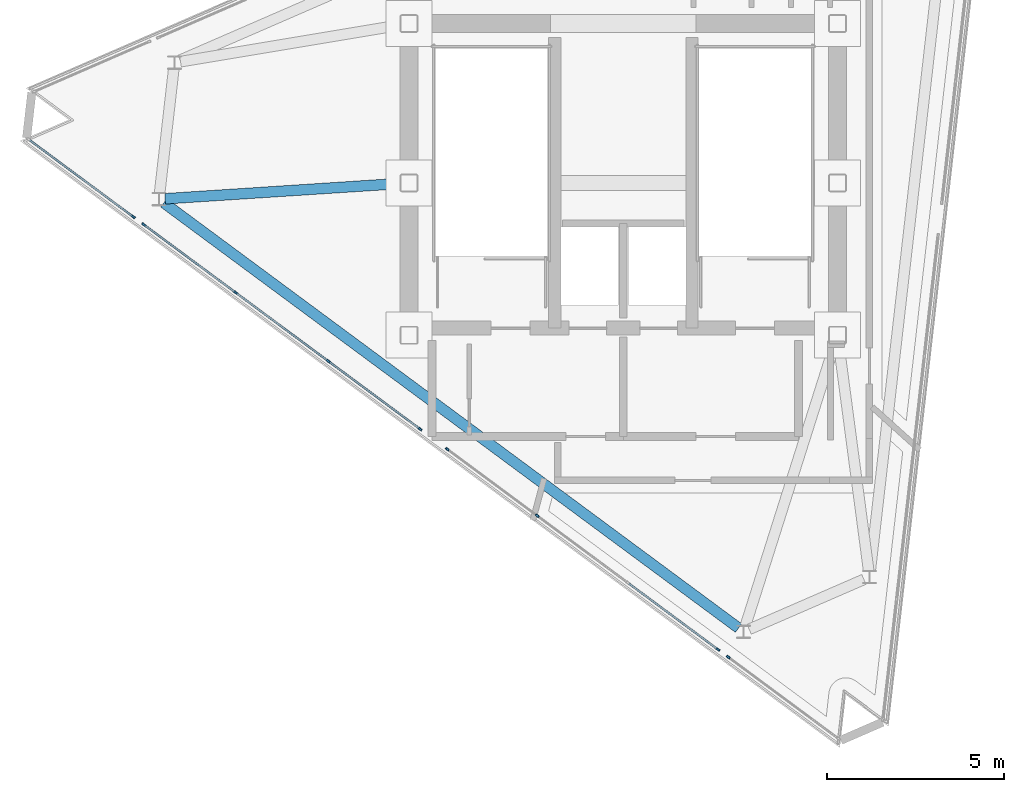
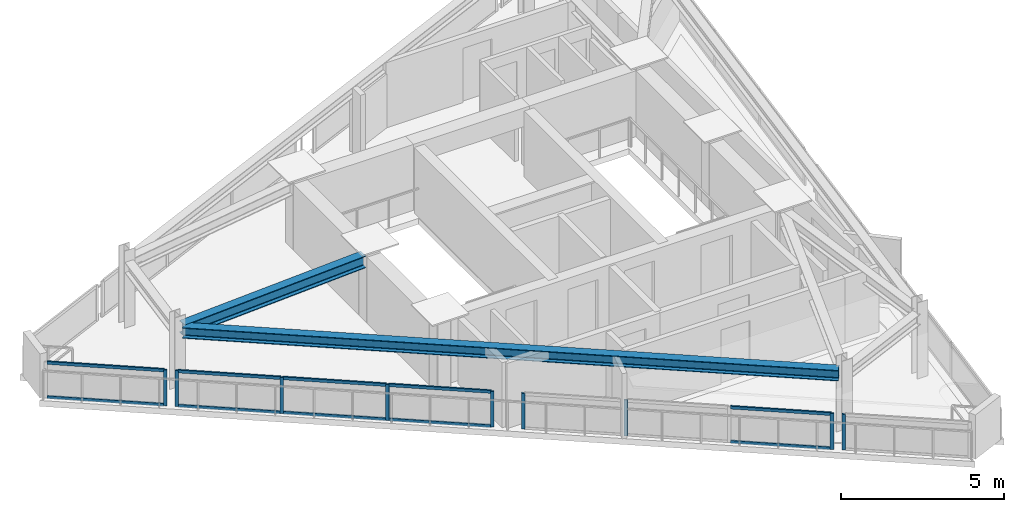
# One storey, part 2 of 9: 19 members, 2 beams, 4 elements without a shape of their own.
"""IFC4 building model written with IfcOpenShell, lengths in metres."""

from ifc_helpers import new_model, si_unit, direction, frame, origin, origin_2d, place, context, subcontext, project, spatial, rectangle, i_section, extrude, material, layer, layer_set, material_profile, profile_set, type_object, element, aggregate, save


model = new_model("IFC4")

# Units and contexts
model_context = context("Model", 3, precision=1e-05, world=origin(), true_north=direction((0.0, 1.0)))
body_context = subcontext(model_context, "Body", "Model", "MODEL_VIEW")
ifc_project = project(units=[si_unit("LENGTHUNIT", "METRE"), si_unit("AREAUNIT", "SQUARE_METRE"), si_unit("VOLUMEUNIT", "CUBIC_METRE"), si_unit("PLANEANGLEUNIT", "RADIAN"), si_unit("MASSUNIT", "GRAM", prefix="KILO")], contexts=[model_context])

# Site, building, storey
site_placement = place(None, origin())
site = spatial("IfcSite", under=ifc_project, at=site_placement, CompositionType="ELEMENT")
building_placement = place(site_placement, origin())
building = spatial("IfcBuilding", under=site, at=building_placement, Name="Rocaltana Carrier Exchange", CompositionType="ELEMENT")
storey_placement = place(building_placement, frame((0.0, 0.0, 254.8798828125)))
storey = spatial("IfcBuildingStorey", under=building, at=storey_placement, Name="L81", CompositionType="ELEMENT", Elevation=254.8798828125)

# Curtain wall, member
ifc_material_1 = material(Name="Aluminium 6063-T6", Category="aluminium")
ifc_layer = layer(ifc_material_1, 0.110107421875)
ifc_layer_set = layer_set([ifc_layer], Name="Aluminium 6063-T6")
curtain_wall_type = type_object("IfcCurtainWallType", Name="Crown Lantern Faceted Curtain Wall CW-06", PredefinedType="NOTDEFINED", material=ifc_layer_set)
curtain_wall_1_placement = place(storey_placement, origin())
curtain_wall_1 = element("IfcCurtainWall", 1, at=curtain_wall_1_placement, inside=storey, type_object=curtain_wall_type, Name="L81 CW-06 Run CW06-L81-F3S1-S1", PredefinedType="NOTDEFINED")
ifc_material_2 = material(Name="Aluminium 6063-T6", Category="aluminium")
ifc_material_profile_1 = material_profile(ifc_material_2, rectangle(XDim=0.054931640625, YDim=0.110107421875, at=origin_2d()), Name="AL-55X110")
ifc_profile_set_1 = profile_set([ifc_material_profile_1], Name="Aluminium 6063-T6")
member_type_1 = type_object("IfcMemberType", Name="CW-06 Mullion AL-55X110", PredefinedType="MULLION", material=ifc_profile_set_1)
member_1_placement = place(storey_placement, frame((-13.83447265625, -0.958740234375, 0.0), z_axis=(0.0, 0.0, 1.0), x_axis=(0.594814224142, 0.803863196545, 0.0)))
member_1 = element("IfcMember", 2, at=member_1_placement, type_object=member_type_1, Name="CW-06 mullion 2", PredefinedType="MULLION", context=body_context, shape_type="SweptSolid", body=[
    extrude(rectangle(XDim=0.054931640625, YDim=0.110107421875, at=origin_2d()), origin(), (0.0, 0.0, 1.0), 1.338134765625),
])

# Curtain wall, members
curtain_wall_2_placement = place(storey_placement, origin())
curtain_wall_2 = element("IfcCurtainWall", 3, at=curtain_wall_2_placement, inside=storey, type_object=curtain_wall_type, Name="L81 CW-06 Run CW06-L81-F3S1-S2", PredefinedType="NOTDEFINED")
member_2_placement = place(storey_placement, frame((-13.543212890625, -1.174560546875, 0.0), z_axis=(0.0, 0.0, 1.0), x_axis=(0.594818258379, 0.803860211416, 0.0)))
member_2 = element("IfcMember", 4, at=member_2_placement, type_object=member_type_1, Name="CW-06 mullion 1", PredefinedType="MULLION", context=body_context, shape_type="SweptSolid", body=[
    extrude(rectangle(XDim=0.054931640625, YDim=0.110107421875, at=origin_2d()), origin(), (0.0, 0.0, 1.0), 1.338134765625),
])
member_3_placement = place(storey_placement, frame((-10.948486328125, -3.094482421875, 0.0), z_axis=(0.0, 0.0, 1.0), x_axis=(0.594818258379, 0.803860211416, 0.0)))
member_3 = element("IfcMember", 5, at=member_3_placement, type_object=member_type_1, Name="CW-06 mullion 2", PredefinedType="MULLION", context=body_context, shape_type="SweptSolid", body=[
    extrude(rectangle(XDim=0.054931640625, YDim=0.110107421875, at=origin_2d()), origin(), (0.0, 0.0, 1.0), 1.338134765625),
])
member_4_placement = place(storey_placement, frame((-8.331787109375, -5.03076171875, 0.0), z_axis=(0.0, 0.0, 1.0), x_axis=(0.594818258379, 0.803860211416, 0.0)))
member_4 = element("IfcMember", 6, at=member_4_placement, type_object=member_type_1, Name="CW-06 mullion 3", PredefinedType="MULLION", context=body_context, shape_type="SweptSolid", body=[
    extrude(rectangle(XDim=0.054931640625, YDim=0.110107421875, at=origin_2d()), origin(), (0.0, 0.0, 1.0), 1.338134765625),
])
member_5_placement = place(storey_placement, frame((-5.7373046875, -6.950439453125, 0.0), z_axis=(0.0, 0.0, 1.0), x_axis=(0.594818258379, 0.803860211416, 0.0)))
member_5 = element("IfcMember", 7, at=member_5_placement, type_object=member_type_1, Name="CW-06 mullion 4", PredefinedType="MULLION", context=body_context, shape_type="SweptSolid", body=[
    extrude(rectangle(XDim=0.054931640625, YDim=0.110107421875, at=origin_2d()), origin(), (0.0, 0.0, 1.0), 1.338134765625),
])

curtain_wall_3_placement = place(storey_placement, origin())
curtain_wall_3 = element("IfcCurtainWall", 8, at=curtain_wall_3_placement, inside=storey, type_object=curtain_wall_type, Name="L81 CW-06 Run CW06-L81-F3S2-S1", PredefinedType="NOTDEFINED")
member_6_placement = place(storey_placement, frame((-4.969482421875, -7.5185546875, 0.0), z_axis=(0.0, 0.0, 1.0), x_axis=(0.594820842297, 0.803858299434, 0.0)))
member_6 = element("IfcMember", 9, at=member_6_placement, type_object=member_type_1, Name="CW-06 mullion 1", PredefinedType="MULLION", context=body_context, shape_type="SweptSolid", body=[
    extrude(rectangle(XDim=0.054931640625, YDim=0.110107421875, at=origin_2d()), origin(), (0.0, 0.0, 1.0), 1.338134765625),
])
member_7_placement = place(storey_placement, frame((-2.42919921875, -9.3984375, 0.0), z_axis=(0.0, 0.0, 1.0), x_axis=(0.594820842297, 0.803858299434, 0.0)))
member_7 = element("IfcMember", 10, at=member_7_placement, type_object=member_type_1, Name="CW-06 mullion 2", PredefinedType="MULLION", context=body_context, shape_type="SweptSolid", body=[
    extrude(rectangle(XDim=0.054931640625, YDim=0.110107421875, at=origin_2d()), origin(), (0.0, 0.0, 1.0), 1.338134765625),
])
member_8_placement = place(storey_placement, frame((2.673583984375, -13.174072265625, 0.0), z_axis=(0.0, 0.0, 1.0), x_axis=(0.594820842297, 0.803858299434, 0.0)))
member_8 = element("IfcMember", 11, at=member_8_placement, type_object=member_type_1, Name="CW-06 mullion 4", PredefinedType="MULLION", context=body_context, shape_type="SweptSolid", body=[
    extrude(rectangle(XDim=0.054931640625, YDim=0.110107421875, at=origin_2d()), origin(), (0.0, 0.0, 1.0), 1.338134765625),
])

# Curtain wall, member
curtain_wall_4_placement = place(storey_placement, origin())
curtain_wall_4 = element("IfcCurtainWall", 12, at=curtain_wall_4_placement, inside=storey, type_object=curtain_wall_type, Name="L81 CW-06 Run CW06-L81-F3S2-S2", PredefinedType="NOTDEFINED")
member_9_placement = place(storey_placement, frame((2.96484375, -13.3896484375, 0.0), z_axis=(0.0, 0.0, 1.0), x_axis=(0.594812420492, 0.803864531142, 0.0)))
member_9 = element("IfcMember", 13, at=member_9_placement, type_object=member_type_1, Name="CW-06 mullion 1", PredefinedType="MULLION", context=body_context, shape_type="SweptSolid", body=[
    extrude(rectangle(XDim=0.054931640625, YDim=0.110107421875, at=origin_2d()), origin(), (0.0, 0.0, 1.0), 1.338134765625),
])
aggregate(curtain_wall_4, [member_9])

# Member
ifc_material_3 = material(Name="Aluminium 6063-T6", Category="aluminium")
ifc_material_profile_2 = material_profile(ifc_material_3, rectangle(XDim=0.054931640625, YDim=0.110107421875, at=origin_2d()), Name="AL-55X110")
ifc_profile_set_2 = profile_set([ifc_material_profile_2], Name="Aluminium 6063-T6")
member_type_2 = type_object("IfcMemberType", Name="CW-06 Transom AL-55X110", PredefinedType="USERDEFINED", material=ifc_profile_set_2)
member_10_placement = place(storey_placement, frame((-16.76416015625, 1.208984375, 0.027587890625), z_axis=(0.803863200855, -0.594814218317, 0.0), x_axis=(0.594814218317, 0.803863200855, 0.0)))
member_10 = element("IfcMember", 14, at=member_10_placement, type_object=member_type_2, Name="CW-06 transom 1.1", ObjectType="TRANSOM", PredefinedType="USERDEFINED", context=body_context, shape_type="SweptSolid", body=[
    extrude(rectangle(XDim=0.054931640625, YDim=0.110107421875, at=origin_2d()), origin(), (0.0, 0.0, 1.0), 3.616943359375),
])

member_11_placement = place(storey_placement, frame((-16.76416015625, 1.208984375, 1.310546875), z_axis=(0.803863200855, -0.594814218317, 0.0), x_axis=(0.594814218317, 0.803863200855, 0.0)))
member_11 = element("IfcMember", 15, at=member_11_placement, type_object=member_type_2, Name="CW-06 transom 1.2", ObjectType="TRANSOM", PredefinedType="USERDEFINED", context=body_context, shape_type="SweptSolid", body=[
    extrude(rectangle(XDim=0.054931640625, YDim=0.110107421875, at=origin_2d()), origin(), (0.0, 0.0, 1.0), 3.616943359375),
])

aggregate(curtain_wall_1, [member_1, member_10, member_11])

member_12_placement = place(storey_placement, frame((-13.52099609375, -1.19091796875, 0.027587890625), z_axis=(0.80384337102, -0.594841016464, 0.0), x_axis=(0.594841016464, 0.80384337102, 0.0)))
member_12 = element("IfcMember", 16, at=member_12_placement, type_object=member_type_2, Name="CW-06 transom 1.1", ObjectType="TRANSOM", PredefinedType="USERDEFINED", context=body_context, shape_type="SweptSolid", body=[
    extrude(rectangle(XDim=0.054931640625, YDim=0.110107421875, at=origin_2d()), origin(), (0.0, 0.0, 1.0), 3.172607421875),
])

member_13_placement = place(storey_placement, frame((-13.52099609375, -1.19091796875, 1.310546875), z_axis=(0.80384337102, -0.594841016464, 0.0), x_axis=(0.594841016464, 0.80384337102, 0.0)))
member_13 = element("IfcMember", 17, at=member_13_placement, type_object=member_type_2, Name="CW-06 transom 1.2", ObjectType="TRANSOM", PredefinedType="USERDEFINED", context=body_context, shape_type="SweptSolid", body=[
    extrude(rectangle(XDim=0.054931640625, YDim=0.110107421875, at=origin_2d()), origin(), (0.0, 0.0, 1.0), 3.172607421875),
])

member_14_placement = place(storey_placement, frame((-10.926513671875, -3.11083984375, 0.027587890625), z_axis=(0.803855760725, -0.594824273168, 0.0), x_axis=(0.594824273168, 0.803855760725, 0.0)))
member_14 = element("IfcMember", 18, at=member_14_placement, type_object=member_type_2, Name="CW-06 transom 2.1", ObjectType="TRANSOM", PredefinedType="USERDEFINED", context=body_context, shape_type="SweptSolid", body=[
    extrude(rectangle(XDim=0.054931640625, YDim=0.110107421875, at=origin_2d()), origin(), (0.0, 0.0, 1.0), 3.2001953125),
])

member_15_placement = place(storey_placement, frame((-10.926513671875, -3.11083984375, 1.310546875), z_axis=(0.803855760725, -0.594824273168, 0.0), x_axis=(0.594824273168, 0.803855760725, 0.0)))
member_15 = element("IfcMember", 19, at=member_15_placement, type_object=member_type_2, Name="CW-06 transom 2.2", ObjectType="TRANSOM", PredefinedType="USERDEFINED", context=body_context, shape_type="SweptSolid", body=[
    extrude(rectangle(XDim=0.054931640625, YDim=0.110107421875, at=origin_2d()), origin(), (0.0, 0.0, 1.0), 3.2001953125),
])

member_16_placement = place(storey_placement, frame((-8.309814453125, -5.047119140625, 0.027587890625), z_axis=(0.803907389222, -0.594754495195, 0.0), x_axis=(0.594754495195, 0.803907389222, 0.0)))
member_16 = element("IfcMember", 20, at=member_16_placement, type_object=member_type_2, Name="CW-06 transom 3.1", ObjectType="TRANSOM", PredefinedType="USERDEFINED", context=body_context, shape_type="SweptSolid", body=[
    extrude(rectangle(XDim=0.054931640625, YDim=0.110107421875, at=origin_2d()), origin(), (0.0, 0.0, 1.0), 3.172607421875),
])

member_17_placement = place(storey_placement, frame((-8.309814453125, -5.047119140625, 1.310546875), z_axis=(0.803907389222, -0.594754495195, 0.0), x_axis=(0.594754495195, 0.803907389222, 0.0)))
member_17 = element("IfcMember", 21, at=member_17_placement, type_object=member_type_2, Name="CW-06 transom 3.2", ObjectType="TRANSOM", PredefinedType="USERDEFINED", context=body_context, shape_type="SweptSolid", body=[
    extrude(rectangle(XDim=0.054931640625, YDim=0.110107421875, at=origin_2d()), origin(), (0.0, 0.0, 1.0), 3.172607421875),
])

aggregate(curtain_wall_2, [member_2, member_3, member_4, member_5, member_12, member_13, member_14, member_15, member_16, member_17])

member_18_placement = place(storey_placement, frame((0.1552734375, -11.310791015625, 0.027587890625), z_axis=(0.803870471012, -0.594804392919, 0.0), x_axis=(0.594804392919, 0.803870471012, 0.0)))
member_18 = element("IfcMember", 22, at=member_18_placement, type_object=member_type_2, Name="CW-06 transom 3.1", ObjectType="TRANSOM", PredefinedType="USERDEFINED", context=body_context, shape_type="SweptSolid", body=[
    extrude(rectangle(XDim=0.054931640625, YDim=0.110107421875, at=origin_2d()), origin(), (0.0, 0.0, 1.0), 3.10498046875),
])

member_19_placement = place(storey_placement, frame((0.1552734375, -11.310791015625, 1.310546875), z_axis=(0.803870471012, -0.594804392919, 0.0), x_axis=(0.594804392919, 0.803870471012, 0.0)))
member_19 = element("IfcMember", 23, at=member_19_placement, type_object=member_type_2, Name="CW-06 transom 3.2", ObjectType="TRANSOM", PredefinedType="USERDEFINED", context=body_context, shape_type="SweptSolid", body=[
    extrude(rectangle(XDim=0.054931640625, YDim=0.110107421875, at=origin_2d()), origin(), (0.0, 0.0, 1.0), 3.10498046875),
])

aggregate(curtain_wall_3, [member_6, member_7, member_8, member_18, member_19])

# Beams
ifc_material_4 = material(Name="Steel S460", Category="steel")
ifc_material_profile_3 = material_profile(ifc_material_4, i_section(OverallWidth=0.300048828125, OverallDepth=0.449951171875, WebThickness=0.013916015625, FlangeThickness=0.02587890625, FilletRadius=0.027099609375, at=origin_2d()), Name="HEB450")
ifc_profile_set_3 = profile_set([ifc_material_profile_3], Name="Steel S460")
beam_type_1 = type_object("IfcBeamType", Name="Crown Frame Rafter HEB450", PredefinedType="BEAM", material=ifc_profile_set_3)
beam_1_placement = place(storey_placement, frame((-6.29150390625, -0.015625, 2.233154296875), z_axis=(-0.997900854841, -0.064760203118, 0.0), x_axis=(0.064760203118, -0.997900854841, 0.0)))
element("IfcBeam", 24, at=beam_1_placement, inside=storey, type_object=beam_type_1, Name="CRG-RAD-L81-05", PredefinedType="BEAM", context=body_context, shape_type="SweptSolid", body=[
    extrude(i_section(OverallWidth=0.300048828125, OverallDepth=0.449951171875, WebThickness=0.013916015625, FlangeThickness=0.02587890625, FilletRadius=0.027099609375, at=origin_2d()), origin(), (0.0, 0.0, 1.0), 6.661376953125),
])
ifc_material_5 = material(Name="Steel S460", Category="steel")
ifc_material_profile_4 = material_profile(ifc_material_5, i_section(OverallWidth=0.300048828125, OverallDepth=0.39990234375, WebThickness=0.013427734375, FlangeThickness=0.02392578125, FilletRadius=0.027099609375, at=origin_2d()), Name="HEB400")
ifc_profile_set_4 = profile_set([ifc_material_profile_4], Name="Steel S460")
beam_type_2 = type_object("IfcBeamType", Name="Crown Ring Beam HEB400", PredefinedType="BEAM", material=ifc_profile_set_4)
beam_2_placement = place(storey_placement, frame((-12.97265625, -0.561767578125, 2.258056640625), z_axis=(0.803856586634, -0.594823157018, 0.0), x_axis=(0.594823157018, 0.803856586634, 0.0)))
element("IfcBeam", 25, at=beam_2_placement, inside=storey, type_object=beam_type_2, Name="CRG-RING-L81-05", PredefinedType="BEAM", context=body_context, shape_type="SweptSolid", body=[
    extrude(i_section(OverallWidth=0.300048828125, OverallDepth=0.39990234375, WebThickness=0.013427734375, FlangeThickness=0.02392578125, FilletRadius=0.027099609375, at=origin_2d()), origin(), (0.0, 0.0, 1.0), 20.18798828125),
])

save(model, "model.ifc")
